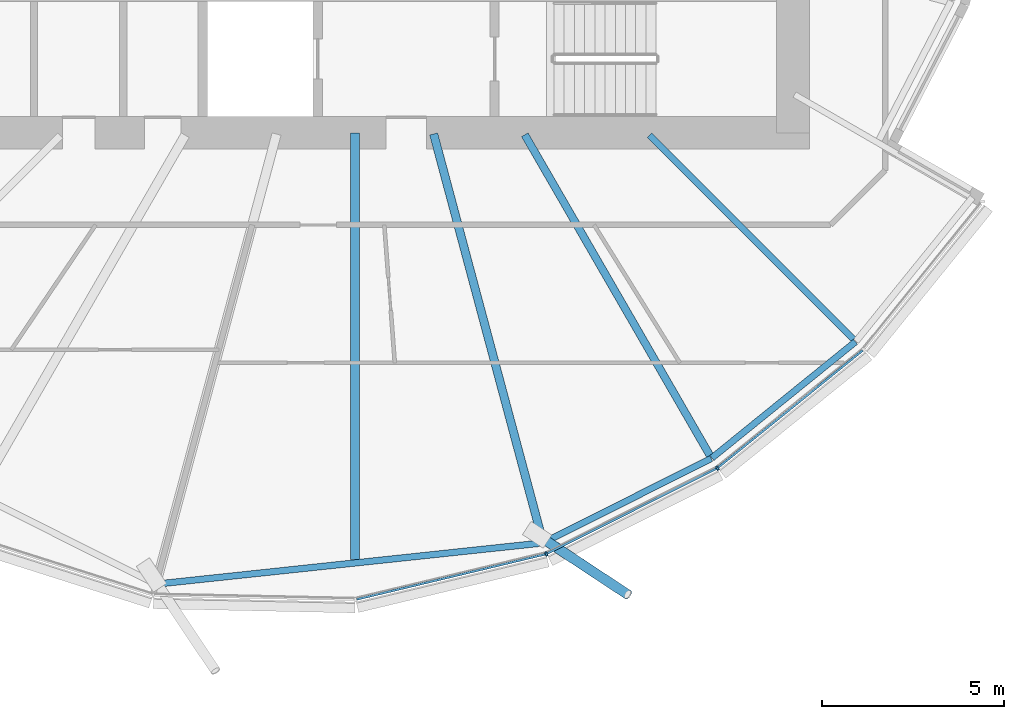
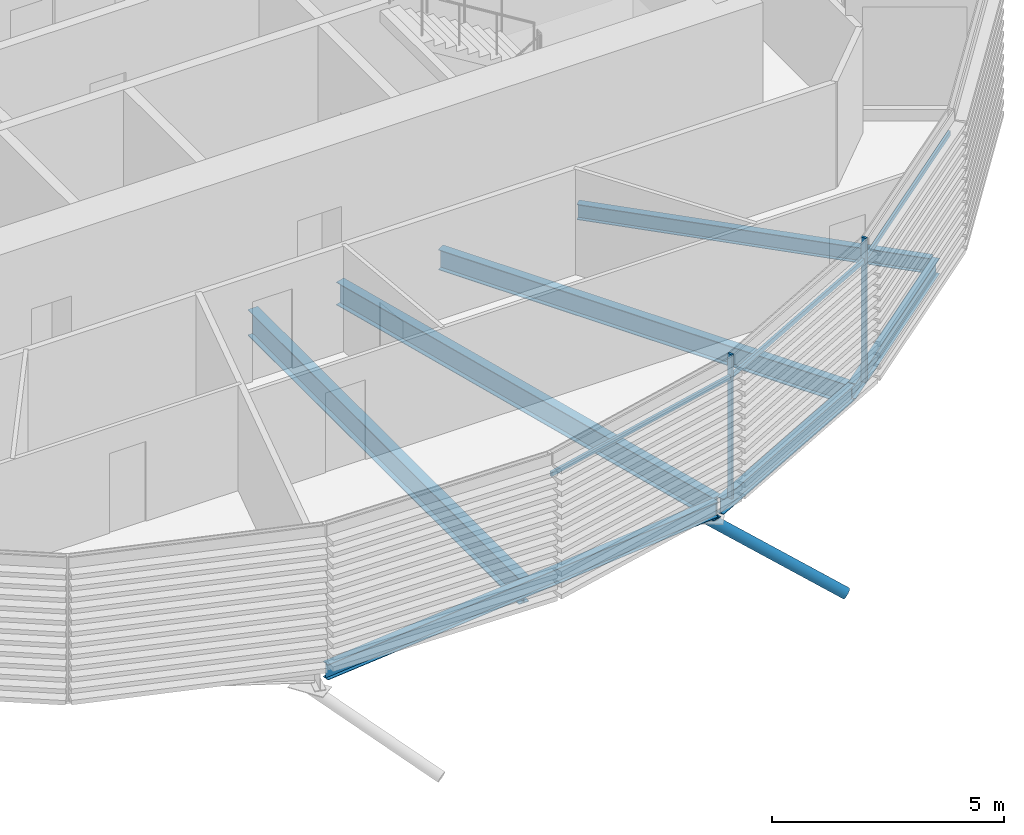
# One storey, part 13 of 36: 7 beams, 6 members, 1 element without a shape of its own.
"""IFC4 building model written with IfcOpenShell, lengths in metres."""

from ifc_helpers import new_model, si_unit, direction, frame, origin, origin_2d, place, context, subcontext, project, spatial, rectangle, hollow_circle, i_section, extrude, clip, halfspace, material, material_profile, profile_set, type_object, element, aggregate, save


model = new_model("IFC4")

# Units and contexts
model_context = context("Model", 3, precision=1e-05, world=origin(), true_north=direction((0.0, 1.0)))
body_context = subcontext(model_context, "Body", "Model", "MODEL_VIEW")
ifc_project = project(units=[si_unit("LENGTHUNIT", "METRE"), si_unit("AREAUNIT", "SQUARE_METRE"), si_unit("VOLUMEUNIT", "CUBIC_METRE"), si_unit("PLANEANGLEUNIT", "RADIAN"), si_unit("MASSUNIT", "GRAM", prefix="KILO")], contexts=[model_context])

# Site, building, storey
site_placement = place(None, origin())
site = spatial("IfcSite", under=ifc_project, at=site_placement, CompositionType="ELEMENT")
building_placement = place(site_placement, origin())
building = spatial("IfcBuilding", under=site, at=building_placement, Name="Rimbun Link Towers", CompositionType="ELEMENT")
storey_placement = place(building_placement, frame((0.0, 0.0, 37.60009765625)))
storey = spatial("IfcBuildingStorey", under=building, at=storey_placement, Name="L08", CompositionType="ELEMENT", Elevation=37.60009765625)

# Curtain wall, members
ifc_material_1 = material(Name="Aluminium 6063-T6 and low-iron glass", Category="aluminium")
curtain_wall_type = type_object("IfcCurtainWallType", Name="CW1 unitised vision wall", PredefinedType="NOTDEFINED", material=ifc_material_1)
curtain_wall_placement = place(storey_placement, origin())
curtain_wall = element("IfcCurtainWall", 1, at=curtain_wall_placement, inside=storey, type_object=curtain_wall_type, Name="CW1 L08 T2", PredefinedType="NOTDEFINED")
ifc_material_2 = material(Name="Aluminium 6063-T6", Category="aluminium")
ifc_material_profile_1 = material_profile(ifc_material_2, rectangle(XDim=0.1201171875, YDim=0.06005859375, at=origin_2d()), Name="MULLION 60X120")
ifc_profile_set_1 = profile_set([ifc_material_profile_1], Name="Aluminium 6063-T6")
member_type_1 = type_object("IfcMemberType", Name="CW1 mullion 60X120", PredefinedType="MULLION", material=ifc_profile_set_1)
member_1_placement = place(storey_placement, frame((36.991455078125, -19.541259765625, 0.0), z_axis=(0.0, 0.0, 1.0), x_axis=(0.342970721402, -0.939346093972, 0.0)))
member_1 = element("IfcMember", 2, at=member_1_placement, type_object=member_type_1, Name="CW1 mullion", PredefinedType="MULLION", context=body_context, shape_type="SweptSolid", body=[
    extrude(rectangle(XDim=0.1201171875, YDim=0.06005859375, at=origin_2d()), origin(), (0.0, 0.0, 1.0), 3.7998046875),
])
member_2_placement = place(storey_placement, frame((41.677001953125, -17.188232421875, 0.0), z_axis=(0.0, 0.0, 1.0), x_axis=(0.542093221733, -0.840318355715, 0.0)))
member_2 = element("IfcMember", 3, at=member_2_placement, type_object=member_type_1, Name="CW1 mullion", PredefinedType="MULLION", context=body_context, shape_type="SweptSolid", body=[
    extrude(rectangle(XDim=0.1201171875, YDim=0.06005859375, at=origin_2d()), origin(), (0.0, 0.0, 1.0), 3.7998046875),
])
ifc_material_3 = material(Name="Aluminium 6063-T6", Category="aluminium")
ifc_material_profile_2 = material_profile(ifc_material_3, rectangle(XDim=0.06005859375, YDim=0.1201171875, at=origin_2d()), Name="TRANSOM 60X120")
ifc_profile_set_2 = profile_set([ifc_material_profile_2], Name="Aluminium 6063-T6")
member_type_2 = type_object("IfcMemberType", Name="CW1 transom 60X120", PredefinedType="USERDEFINED", material=ifc_profile_set_2)
member_3_placement = place(storey_placement, frame((36.955322265625, -19.548095703125, 3.199951171875), z_axis=(-0.972564867926, -0.232631850088, 0.0), x_axis=(0.232631850088, -0.972564867926, 0.0)))
member_3 = element("IfcMember", 4, at=member_3_placement, type_object=member_type_2, Name="CW1 transom", ObjectType="TRANSOM", PredefinedType="USERDEFINED", context=body_context, shape_type="SweptSolid", body=[
    extrude(rectangle(XDim=0.06005859375, YDim=0.1201171875, at=origin_2d()), origin(), (0.0, 0.0, 1.0), 5.308349609375),
])
member_4_placement = place(storey_placement, frame((41.643798828125, -17.203125, 3.199951171875), z_axis=(-0.893651389739, -0.448761845101, 0.0), x_axis=(0.448761845101, -0.893651389739, 0.0)))
member_4 = element("IfcMember", 5, at=member_4_placement, type_object=member_type_2, Name="CW1 transom", ObjectType="TRANSOM", PredefinedType="USERDEFINED", context=body_context, shape_type="SweptSolid", body=[
    extrude(rectangle(XDim=0.06005859375, YDim=0.1201171875, at=origin_2d()), origin(), (0.0, 0.0, 1.0), 5.169921875),
])
member_5_placement = place(storey_placement, frame((45.660888671875, -13.961669921875, 3.199951171875), z_axis=(-0.77729513126, -0.629136137032, 0.0), x_axis=(0.629136137032, -0.77729513126, 0.0)))
member_5 = element("IfcMember", 6, at=member_5_placement, type_object=member_type_2, Name="CW1 transom", ObjectType="TRANSOM", PredefinedType="USERDEFINED", context=body_context, shape_type="SweptSolid", body=[
    extrude(rectangle(XDim=0.06005859375, YDim=0.1201171875, at=origin_2d()), origin(), (0.0, 0.0, 1.0), 5.090087890625),
])
aggregate(curtain_wall, [member_1, member_2, member_3, member_4, member_5])

# Member
ifc_material_4 = material(Name="Steel S355J2H", Category="steel")
ifc_material_profile_3 = material_profile(ifc_material_4, hollow_circle(Radius=0.136474609375, WallThickness=0.012451171875, at=origin_2d()), Name="CHS 273x12.5")
ifc_profile_set_3 = profile_set([ifc_material_profile_3], Name="Steel S355J2H")
member_type_3 = type_object("IfcMemberType", Name="Floor edge link CHS 273x12.5", PredefinedType="BRACE", material=ifc_profile_set_3)
member_6_placement = place(storey_placement, frame((36.8681640625, -19.101318359375, -0.87890625), z_axis=(0.710193562205, -0.468441175277, -0.525535887935), x_axis=(0.550607551381, 0.8347642328, 0.0)))
element("IfcMember", 7, at=member_6_placement, inside=storey, type_object=member_type_3, Name="Floor edge link T2 L08 16", PredefinedType="BRACE", context=body_context, shape_type="Clipping", body=[
    clip(extrude(hollow_circle(Radius=0.136474609375, WallThickness=0.012451171875, at=origin_2d()), frame((0.0, 0.0, -0.4609375)), (0.0, 0.0, 1.0), 3.783447265625), halfspace(frame((0.0, 0.0, -0.21728515625), z_axis=(0.0, 0.850771432579, -0.525535887935)), False)),
])

# Beams
ifc_material_5 = material(Name="Steel S355J2", Category="steel")
ifc_material_profile_4 = material_profile(ifc_material_5, i_section(OverallWidth=0.177978515625, OverallDepth=0.406494140625, WebThickness=0.0078125, FlangeThickness=0.0126953125, at=origin_2d()), Name="UB 406x178x60")
ifc_profile_set_4 = profile_set([ifc_material_profile_4], Name="Steel S355J2")
beam_type_1 = type_object("IfcBeamType", Name="UB 406x178x60", PredefinedType="BEAM", material=ifc_profile_set_4)
beam_1_placement = place(storey_placement, frame((39.813720703125, -8.063720703125, -0.36328125), z_axis=(0.707106781187, -0.707106781187, 0.0), x_axis=(0.707106781187, 0.707106781187, 0.0)))
element("IfcBeam", 8, at=beam_1_placement, inside=storey, type_object=beam_type_1, Name="Radial beam T2 L08 18", PredefinedType="BEAM", context=body_context, shape_type="SweptSolid", body=[
    extrude(i_section(OverallWidth=0.177978515625, OverallDepth=0.406494140625, WebThickness=0.0078125, FlangeThickness=0.0126953125, at=origin_2d()), origin(), (0.0, 0.0, 1.0), 7.908935546875),
])
beam_2_placement = place(storey_placement, frame((26.428466796875, -20.35400390625, -0.36328125), z_axis=(0.994375794945, 0.105909293396, 0.0), x_axis=(-0.105909293396, 0.994375794945, 0.0)))
element("IfcBeam", 9, at=beam_2_placement, inside=storey, type_object=beam_type_1, Name="Edge beam T2 L08 14-16", PredefinedType="BEAM", context=body_context, shape_type="SweptSolid", body=[
    extrude(i_section(OverallWidth=0.177978515625, OverallDepth=0.406494140625, WebThickness=0.0078125, FlangeThickness=0.0126953125, at=origin_2d()), origin(), (0.0, 0.0, 1.0), 10.41943359375),
])
beam_3_placement = place(storey_placement, frame((36.90576171875, -19.23779296875, -0.36328125), z_axis=(0.893410782718, 0.449240663033, 0.0), x_axis=(-0.449240663033, 0.893410782718, 0.0)))
element("IfcBeam", 10, at=beam_3_placement, inside=storey, type_object=beam_type_1, Name="Edge beam T2 L08 16", PredefinedType="BEAM", context=body_context, shape_type="SweptSolid", body=[
    extrude(i_section(OverallWidth=0.177978515625, OverallDepth=0.406494140625, WebThickness=0.0078125, FlangeThickness=0.0126953125, at=origin_2d()), origin(), (0.0, 0.0, 1.0), 5.15185546875),
])
beam_4_placement = place(storey_placement, frame((41.526123046875, -16.911865234375, -0.36328125), z_axis=(0.777299887506, 0.629130260665, 0.0), x_axis=(-0.629130260665, 0.777299887506, 0.0)))
element("IfcBeam", 11, at=beam_4_placement, inside=storey, type_object=beam_type_1, Name="Edge beam T2 L08 17", PredefinedType="BEAM", context=body_context, shape_type="SweptSolid", body=[
    extrude(i_section(OverallWidth=0.177978515625, OverallDepth=0.406494140625, WebThickness=0.0078125, FlangeThickness=0.0126953125, at=origin_2d()), origin(), (0.0, 0.0, 1.0), 5.0634765625),
])
ifc_material_6 = material(Name="Steel S355J2", Category="steel")
ifc_material_profile_5 = material_profile(ifc_material_6, i_section(OverallWidth=0.209228515625, OverallDepth=0.533203125, WebThickness=0.010009765625, FlangeThickness=0.015625, at=origin_2d()), Name="UB 533x210x92")
ifc_profile_set_5 = profile_set([ifc_material_profile_5], Name="Steel S355J2")
beam_type_2 = type_object("IfcBeamType", Name="UB 533x210x92", PredefinedType="BEAM", material=ifc_profile_set_5)
beam_5_placement = place(storey_placement, frame((36.3994140625, -8.05322265625, -0.426513671875), z_axis=(0.500007791372, -0.866020905387, 0.0), x_axis=(0.866020905387, 0.500007791372, 0.0)))
element("IfcBeam", 12, at=beam_5_placement, inside=storey, type_object=beam_type_2, Name="Radial beam T2 L08 17", PredefinedType="BEAM", context=body_context, shape_type="SweptSolid", body=[
    extrude(i_section(OverallWidth=0.209228515625, OverallDepth=0.533203125, WebThickness=0.010009765625, FlangeThickness=0.015625, at=origin_2d()), origin(), (0.0, 0.0, 1.0), 10.146728515625),
])
ifc_material_7 = material(Name="Steel S355J2", Category="steel")
ifc_material_profile_6 = material_profile(ifc_material_7, i_section(OverallWidth=0.2275390625, OverallDepth=0.6025390625, WebThickness=0.010498046875, FlangeThickness=0.014892578125, at=origin_2d()), Name="UB 610x229x101")
ifc_profile_set_6 = profile_set([ifc_material_profile_6], Name="Steel S355J2")
beam_type_3 = type_object("IfcBeamType", Name="UB 610x229x101", PredefinedType="BEAM", material=ifc_profile_set_6)
beam_6_placement = place(storey_placement, frame((33.901611328125, -8.030517578125, -0.46142578125), z_axis=(0.258834676399, -0.96592163776, 0.0), x_axis=(0.96592163776, 0.258834676399, 0.0)))
element("IfcBeam", 13, at=beam_6_placement, inside=storey, type_object=beam_type_3, Name="Radial beam T2 L08 16", PredefinedType="BEAM", context=body_context, shape_type="SweptSolid", body=[
    extrude(i_section(OverallWidth=0.2275390625, OverallDepth=0.6025390625, WebThickness=0.010498046875, FlangeThickness=0.014892578125, at=origin_2d()), origin(), (0.0, 0.0, 1.0), 11.51123046875),
])
ifc_material_8 = material(Name="Steel S355J2", Category="steel")
ifc_material_profile_7 = material_profile(ifc_material_8, i_section(OverallWidth=0.253662109375, OverallDepth=0.68359375, WebThickness=0.012451171875, FlangeThickness=0.01904296875, at=origin_2d()), Name="UB 686x254x140")
ifc_profile_set_7 = profile_set([ifc_material_profile_7], Name="Steel S355J2")
beam_type_4 = type_object("IfcBeamType", Name="UB 686x254x140", PredefinedType="BEAM", material=ifc_profile_set_7)
beam_7_placement = place(storey_placement, frame((31.75, -8.0009765625, -0.501708984375), z_axis=(0.0, -1.0, 0.0), x_axis=(1.0, 0.0, 0.0)))
element("IfcBeam", 14, at=beam_7_placement, inside=storey, type_object=beam_type_4, Name="Radial beam T2 L08 15", PredefinedType="BEAM", context=body_context, shape_type="SweptSolid", body=[
    extrude(i_section(OverallWidth=0.253662109375, OverallDepth=0.68359375, WebThickness=0.012451171875, FlangeThickness=0.01904296875, at=origin_2d()), origin(), (0.0, 0.0, 1.0), 11.69580078125),
])

save(model, "model.ifc")
